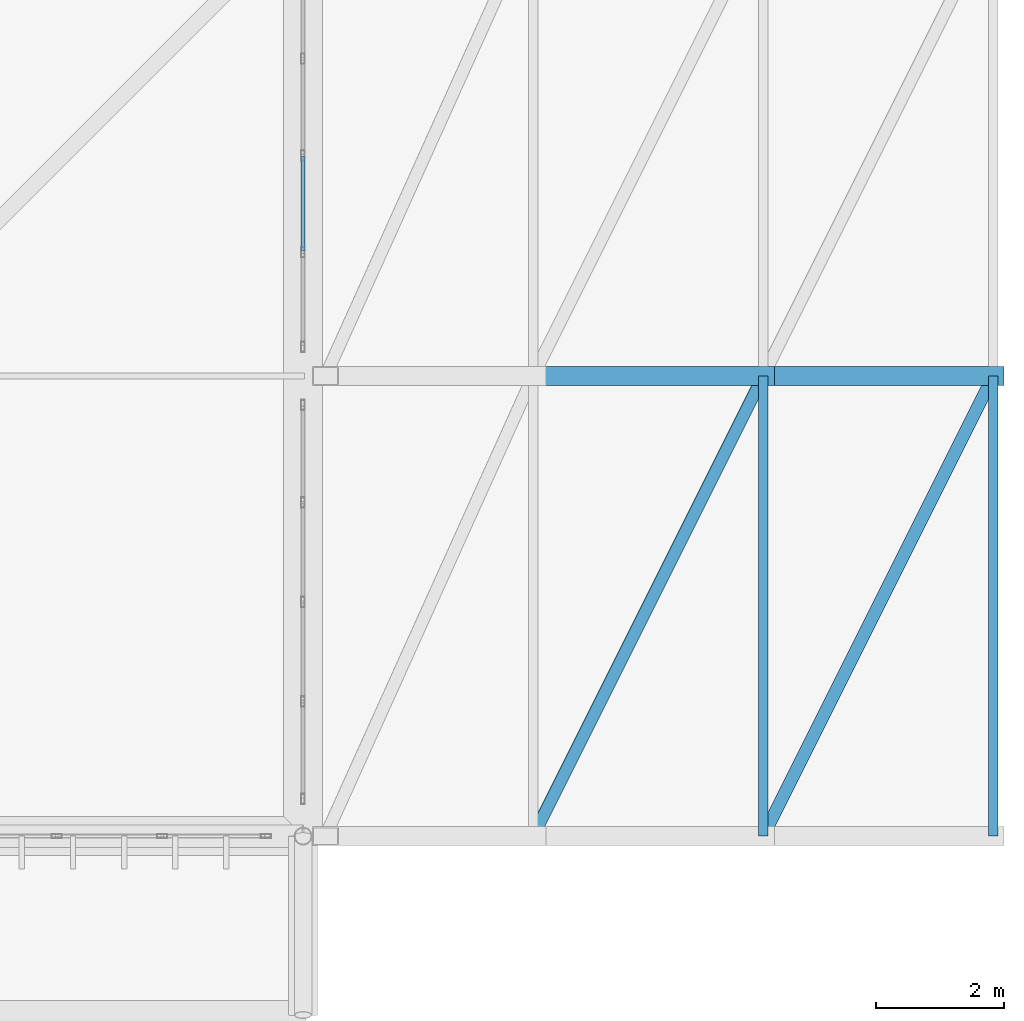
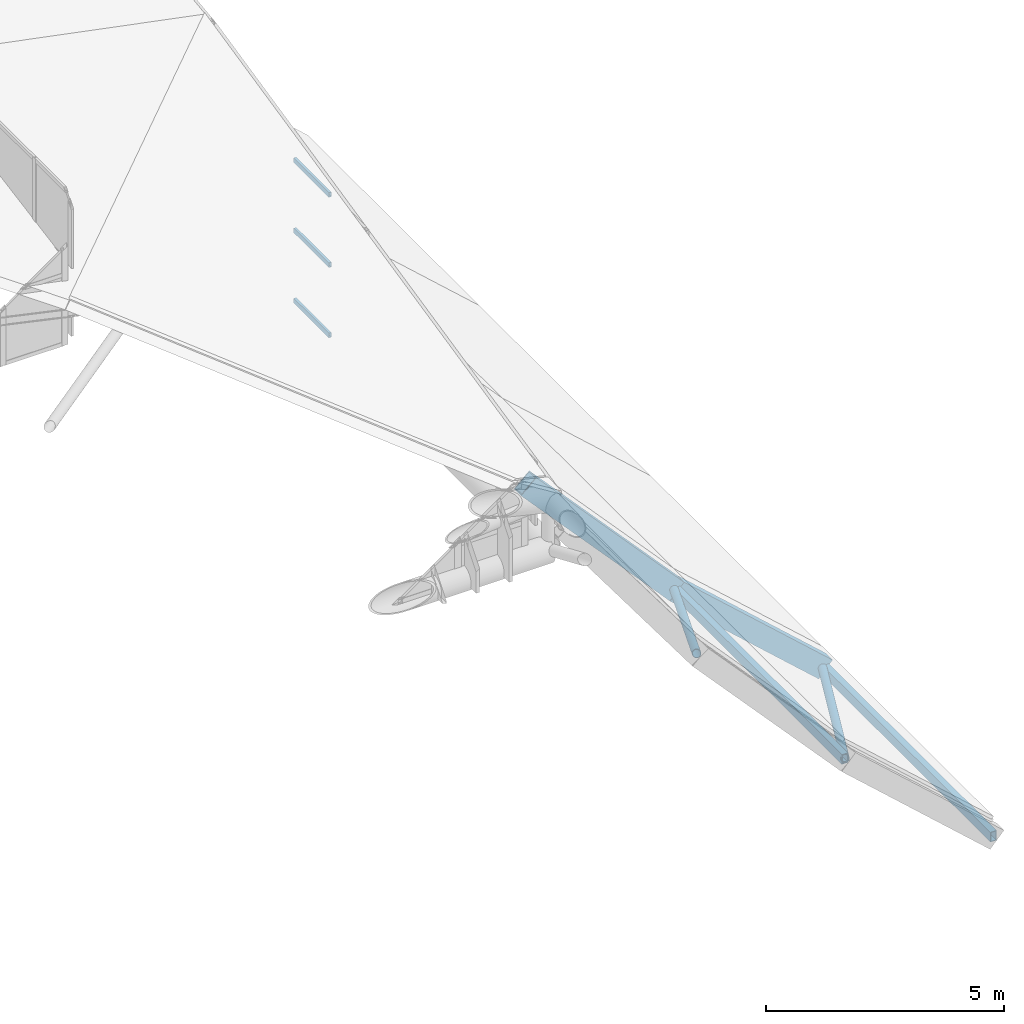
# One storey, part 129 of 397: 7 members, 2 beams, 1 element without a shape of its own.
"""IFC4 building model written with IfcOpenShell, lengths in metres."""

from ifc_helpers import new_model, si_unit, direction, frame, origin, origin_2d, place, context, subcontext, project, spatial, hollow_rectangle, hollow_circle, extrude, material, material_profile, profile_set, type_object, element, aggregate, save


model = new_model("IFC4")

# Units and contexts
model_context = context("Model", 3, precision=1e-05, world=origin(), true_north=direction((0.0, 1.0)))
body_context = subcontext(model_context, "Body", "Model", "MODEL_VIEW")
ifc_project = project(units=[si_unit("LENGTHUNIT", "METRE"), si_unit("AREAUNIT", "SQUARE_METRE"), si_unit("VOLUMEUNIT", "CUBIC_METRE"), si_unit("PLANEANGLEUNIT", "RADIAN"), si_unit("MASSUNIT", "GRAM", prefix="KILO")], contexts=[model_context])

# Site, building, storey
site_placement = place(None, origin())
site = spatial("IfcSite", under=ifc_project, at=site_placement, CompositionType="ELEMENT")
building_placement = place(site_placement, origin())
building = spatial("IfcBuilding", under=site, at=building_placement, Name="Qandorah Velis Arena", CompositionType="ELEMENT")
storey_placement = place(building_placement, frame((0.0, 0.0, 27.5)))
storey = spatial("IfcBuildingStorey", under=building, at=storey_placement, Name="RF", CompositionType="ELEMENT", Elevation=27.5)

# Curtain wall, members
ifc_material_1 = material(Name="Solar-control low-E double glazing", Category="glass")
curtain_wall_type = type_object("IfcCurtainWallType", Name="ARC-CW-SYS10", PredefinedType="USERDEFINED", material=ifc_material_1)
curtain_wall_placement = place(storey_placement, origin())
curtain_wall = element("IfcCurtainWall", 1, at=curtain_wall_placement, inside=storey, type_object=curtain_wall_type, Name="Unitised curtain wall CROWN-2-01S2", ObjectType="UNITISED CURTAIN WALL", PredefinedType="USERDEFINED")
ifc_material_2 = material(Name="Champagne-bronze anodized aluminium 6063-T6", Category="aluminium")
ifc_material_profile_1 = material_profile(ifc_material_2, hollow_rectangle(XDim=0.06005859375, YDim=0.1201171875, WallThickness=0.0029296875, at=origin_2d()), Name="ALU TRANSOM 60x120")
ifc_profile_set_1 = profile_set([ifc_material_profile_1], Name="Champagne-bronze anodized aluminium 6063-T6")
member_type_1 = type_object("IfcMemberType", Name="ARC-CWT-120", PredefinedType="USERDEFINED", material=ifc_profile_set_1)
member_1_placement = place(storey_placement, frame((115.199951171875, 23.555419921875, 0.030029296875), z_axis=(0.0, 1.0, 0.0), x_axis=(-1.0, 0.0, 0.0)))
member_1 = element("IfcMember", 2, at=member_1_placement, type_object=member_type_1, Name="CW10 transom 2.1", ObjectType="TRANSOM", PredefinedType="USERDEFINED", context=body_context, shape_type="SweptSolid", body=[
    extrude(hollow_rectangle(XDim=0.06005859375, YDim=0.1201171875, WallThickness=0.0029296875, at=origin_2d()), origin(), (0.0, 0.0, 1.0), 1.4765625),
])
member_2_placement = place(storey_placement, frame((115.199951171875, 23.555419921875, 1.830078125), z_axis=(0.0, 1.0, 0.0), x_axis=(-1.0, 0.0, 0.0)))
member_2 = element("IfcMember", 3, at=member_2_placement, type_object=member_type_1, Name="CW10 transom 2.2", ObjectType="TRANSOM", PredefinedType="USERDEFINED", context=body_context, shape_type="SweptSolid", body=[
    extrude(hollow_rectangle(XDim=0.06005859375, YDim=0.1201171875, WallThickness=0.0029296875, at=origin_2d()), origin(), (0.0, 0.0, 1.0), 1.4765625),
])
member_3_placement = place(storey_placement, frame((115.199951171875, 23.555419921875, 3.630615234375), z_axis=(0.0, 1.0, 0.0), x_axis=(-1.0, 0.0, 0.0)))
member_3 = element("IfcMember", 4, at=member_3_placement, type_object=member_type_1, Name="CW10 transom 2.3", ObjectType="TRANSOM", PredefinedType="USERDEFINED", context=body_context, shape_type="SweptSolid", body=[
    extrude(hollow_rectangle(XDim=0.06005859375, YDim=0.1201171875, WallThickness=0.0029296875, at=origin_2d()), origin(), (0.0, 0.0, 1.0), 1.4765625),
])
aggregate(curtain_wall, [member_1, member_2, member_3])

# Beams
ifc_material_3 = material(Name="Steel S355", Category="steel")
ifc_material_profile_2 = material_profile(ifc_material_3, hollow_rectangle(XDim=0.300048828125, YDim=0.5, WallThickness=0.02001953125, at=origin_2d()), Name="RHS 500x300x20")
ifc_profile_set_2 = profile_set([ifc_material_profile_2], Name="Steel S355")
beam_type = type_object("IfcBeamType", Name="STR-CRB-RHS500", PredefinedType="USERDEFINED", material=ifc_profile_set_2)
beam_1_placement = place(storey_placement, frame((118.800048828125, 21.60009765625, -3.84130859375), z_axis=(0.673388510151, 0.0, -0.739288789578), x_axis=(0.0, 1.0, 0.0)))
element("IfcBeam", 5, at=beam_1_placement, inside=storey, type_object=beam_type, Name="Sweeping canopy rib CRB-2.02", ObjectType="ROOF TRUSS", PredefinedType="USERDEFINED", context=body_context, shape_type="SweptSolid", body=[
    extrude(hollow_rectangle(XDim=0.300048828125, YDim=0.5, WallThickness=0.02001953125, at=origin_2d()), origin(), (0.0, 0.0, 1.0), 5.345947265625),
])
beam_2_placement = place(storey_placement, frame((122.39990234375, 21.60009765625, -7.79345703125), z_axis=(0.741976678185, 0.0, -0.6704256924), x_axis=(0.0, 1.0, 0.0)))
element("IfcBeam", 6, at=beam_2_placement, inside=storey, type_object=beam_type, Name="Sweeping canopy rib CRB-2.03", ObjectType="ROOF TRUSS", PredefinedType="USERDEFINED", context=body_context, shape_type="SweptSolid", body=[
    extrude(hollow_rectangle(XDim=0.300048828125, YDim=0.5, WallThickness=0.02001953125, at=origin_2d()), origin(), (0.0, 0.0, 1.0), 4.85205078125),
])

# Members
ifc_material_profile_3 = material_profile(ifc_material_3, hollow_rectangle(XDim=0.14990234375, YDim=0.25, WallThickness=0.010009765625, at=origin_2d()), Name="RHS 250x150x10")
ifc_profile_set_3 = profile_set([ifc_material_profile_3], Name="Steel S355")
member_type_2 = type_object("IfcMemberType", Name="STR-PRL-RHS250", PredefinedType="PURLIN", material=ifc_profile_set_3)
for number, where, z_axis, x_axis, name in (
    (7, (122.39990234375, 14.39990234375, -7.79345703125), (0.0, 1.0, 0.0), (-1.0, 0.0, 0.0), "Canopy cross purlin CPR-1.02"),
    (8, (126.0, 14.39990234375, -11.04638671875), (0.0, 1.0, 0.0), (-1.0, 0.0, 0.0), "Canopy cross purlin CPR-1.03"),
):
    element("IfcMember", number, at=place(storey_placement, frame(where, z_axis=z_axis, x_axis=x_axis)), inside=storey, type_object=member_type_2, Name=name, PredefinedType="PURLIN", context=body_context, shape_type="SweptSolid", body=[
        extrude(hollow_rectangle(XDim=0.14990234375, YDim=0.25, WallThickness=0.010009765625, at=origin_2d()), origin(), (0.0, 0.0, 1.0), 7.2001953125),
    ])
ifc_material_profile_4 = material_profile(ifc_material_3, hollow_circle(Radius=0.096923828125, WallThickness=0.010009765625, at=origin_2d()), Name="CHS 193.7x10")
ifc_profile_set_4 = profile_set([ifc_material_profile_4], Name="Steel S355")
member_type_3 = type_object("IfcMemberType", Name="STR-SFD-CHS193X10", PredefinedType="STRUT", material=ifc_profile_set_4)
member_4_placement = place(storey_placement, frame((118.800048828125, 14.39990234375, -3.84130859375), z_axis=(0.401420418589, 0.802895285523, -0.440704899025), x_axis=(-0.894439321951, 0.447189332774, 0.0)))
element("IfcMember", 9, at=member_4_placement, inside=storey, type_object=member_type_3, Name="Canopy roof plane diagonal CDG-1.02", PredefinedType="STRUT", context=body_context, shape_type="SweptSolid", body=[
    extrude(hollow_circle(Radius=0.096923828125, WallThickness=0.010009765625, at=origin_2d()), origin(), (0.0, 0.0, 1.0), 8.9677734375),
])
member_5_placement = place(storey_placement, frame((122.39990234375, 14.39990234375, -7.79345703125), z_axis=(0.414640403421, 0.829280806841, -0.374655414022), x_axis=(-0.894427191, 0.4472135955, 0.0)))
element("IfcMember", 10, at=member_5_placement, inside=storey, type_object=member_type_3, Name="Canopy roof plane diagonal CDG-1.03", PredefinedType="STRUT", context=body_context, shape_type="SweptSolid", body=[
    extrude(hollow_circle(Radius=0.096923828125, WallThickness=0.010009765625, at=origin_2d()), origin(), (0.0, 0.0, 1.0), 8.682373046875),
])

save(model, "model.ifc")
